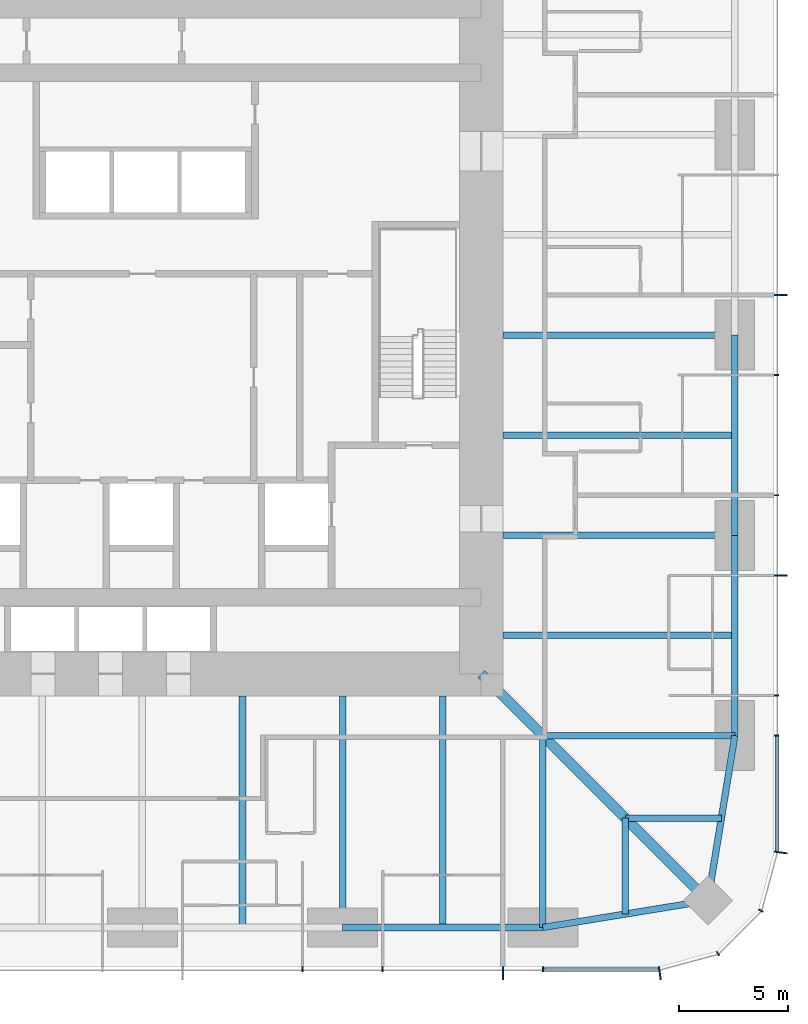
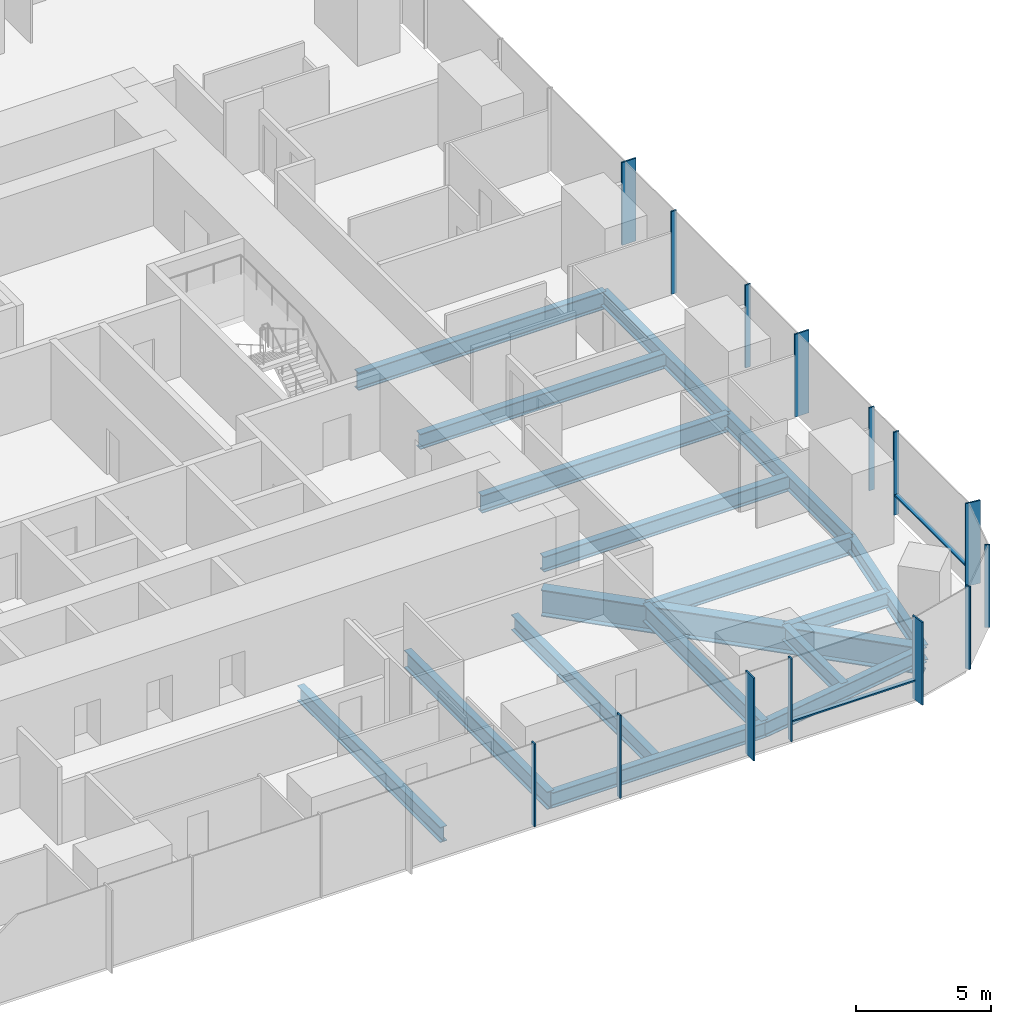
# One storey, part 4 of 13: 17 beams, 16 members, 3 elements without a shape of their own.
"""IFC4 building model written with IfcOpenShell, lengths in metres."""

from ifc_helpers import new_model, si_unit, direction, frame, origin, origin_2d, place, context, subcontext, project, spatial, rectangle, i_section, extrude, material, material_profile, profile_set, type_object, element, aggregate, save


model = new_model("IFC4")

# Units and contexts
model_context = context("Model", 3, precision=1e-05, world=origin(), true_north=direction((0.0, 1.0)))
body_context = subcontext(model_context, "Body", "Model", "MODEL_VIEW")
ifc_project = project(units=[si_unit("LENGTHUNIT", "METRE"), si_unit("AREAUNIT", "SQUARE_METRE"), si_unit("VOLUMEUNIT", "CUBIC_METRE"), si_unit("PLANEANGLEUNIT", "RADIAN"), si_unit("MASSUNIT", "GRAM", prefix="KILO")], contexts=[model_context])

# Site, building, storey
site_placement = place(None, origin())
site = spatial("IfcSite", under=ifc_project, at=site_placement, CompositionType="ELEMENT")
building_placement = place(site_placement, origin())
building = spatial("IfcBuilding", under=site, at=building_placement, Name="Khuree Lantern Residences", CompositionType="ELEMENT")
storey_placement = place(building_placement, frame((0.0, 0.0, 133.5)))
storey = spatial("IfcBuildingStorey", under=building, at=storey_placement, Name="L33", CompositionType="ELEMENT", Elevation=133.5)

# Beams
ifc_material_1 = material(Name="Steel S355", Category="steel")
ifc_material_profile_1 = material_profile(ifc_material_1, i_section(OverallWidth=0.300048828125, OverallDepth=0.68994140625, WebThickness=0.014404296875, FlangeThickness=0.027099609375, FilletRadius=0.027099609375, at=origin_2d()), Name="HE 700 A")
ifc_profile_set_1 = profile_set([ifc_material_profile_1], Name="Steel S355")
beam_type_1 = type_object("IfcBeamType", Name="B-22 SECONDARY BEAM HE 700 A", PredefinedType="BEAM", material=ifc_profile_set_1)
for number, where, z_axis, x_axis, name in (
    (1, (27.10009765625, -4.580078125, -0.594970703125), (-1.0, 0.0, 0.0), (0.0, -1.0, 0.0), "Secondary beam E4"),
    (2, (27.10009765625, -13.739990234375, -0.594970703125), (-1.0, 0.0, 0.0), (0.0, -1.0, 0.0), "Secondary beam E5"),
):
    element("IfcBeam", number, at=place(storey_placement, frame(where, z_axis=z_axis, x_axis=x_axis)), inside=storey, type_object=beam_type_1, Name=name, PredefinedType="BEAM", context=body_context, shape_type="SweptSolid", body=[
        extrude(i_section(OverallWidth=0.300048828125, OverallDepth=0.68994140625, WebThickness=0.014404296875, FlangeThickness=0.027099609375, FilletRadius=0.027099609375, at=origin_2d()), origin(), (0.0, 0.0, 1.0), 10.60009765625),
    ])
for number, where, z_axis, x_axis, name in (
    (3, (26.48486328125, -22.094970703125, -0.594970703125), (-1.0, 0.0, 0.0), (0.0, -1.0, 0.0), "Secondary beam E6"),
    (4, (22.094970703125, -26.48486328125, -0.594970703125), (0.0, 1.0, 0.0), (-1.0, 0.0, 0.0), "Secondary beam S1"),
):
    element("IfcBeam", number, at=place(storey_placement, frame(where, z_axis=z_axis, x_axis=x_axis)), inside=storey, type_object=beam_type_1, Name=name, PredefinedType="BEAM", context=body_context, shape_type="SweptSolid", body=[
        extrude(i_section(OverallWidth=0.300048828125, OverallDepth=0.68994140625, WebThickness=0.014404296875, FlangeThickness=0.027099609375, FilletRadius=0.027099609375, at=origin_2d()), origin(), (0.0, 0.0, 1.0), 4.389892578125),
    ])
for number, where, z_axis, x_axis, name in (
    (5, (13.739990234375, -27.10009765625, -0.594970703125), (0.0, 1.0, 0.0), (-1.0, 0.0, 0.0), "Secondary beam S2"),
    (6, (4.580078125, -27.10009765625, -0.594970703125), (0.0, 1.0, 0.0), (-1.0, 0.0, 0.0), "Secondary beam S3"),
):
    element("IfcBeam", number, at=place(storey_placement, frame(where, z_axis=z_axis, x_axis=x_axis)), inside=storey, type_object=beam_type_1, Name=name, PredefinedType="BEAM", context=body_context, shape_type="SweptSolid", body=[
        extrude(i_section(OverallWidth=0.300048828125, OverallDepth=0.68994140625, WebThickness=0.014404296875, FlangeThickness=0.027099609375, FilletRadius=0.027099609375, at=origin_2d()), origin(), (0.0, 0.0, 1.0), 10.60009765625),
    ])
ifc_material_profile_2 = material_profile(ifc_material_1, i_section(OverallWidth=0.300048828125, OverallDepth=0.68994140625, WebThickness=0.014404296875, FlangeThickness=0.027099609375, FilletRadius=0.027099609375, at=origin_2d()), Name="HE 700 A")
ifc_profile_set_2 = profile_set([ifc_material_profile_2], Name="Steel S355")
beam_type_2 = type_object("IfcBeamType", Name="E-22 SPANDREL BEAM HE 700 A", PredefinedType="SPANDREL", material=ifc_profile_set_2)
beam_1_placement = place(storey_placement, frame((27.10009765625, 0.0, -0.594970703125), z_axis=(0.0, -1.0, 0.0), x_axis=(1.0, 0.0, 0.0)))
element("IfcBeam", 7, at=beam_1_placement, inside=storey, type_object=beam_type_2, Name="Spandrel beam E4", PredefinedType="SPANDREL", context=body_context, shape_type="SweptSolid", body=[
    extrude(i_section(OverallWidth=0.300048828125, OverallDepth=0.68994140625, WebThickness=0.014404296875, FlangeThickness=0.027099609375, FilletRadius=0.027099609375, at=origin_2d()), origin(), (0.0, 0.0, 1.0), 9.159912109375),
])
beam_2_placement = place(storey_placement, frame((27.10009765625, -9.159912109375, -0.594970703125), z_axis=(0.0, -1.0, 0.0), x_axis=(1.0, 0.0, 0.0)))
element("IfcBeam", 8, at=beam_2_placement, inside=storey, type_object=beam_type_2, Name="Spandrel beam E5", PredefinedType="SPANDREL", context=body_context, shape_type="SweptSolid", body=[
    extrude(i_section(OverallWidth=0.300048828125, OverallDepth=0.68994140625, WebThickness=0.014404296875, FlangeThickness=0.027099609375, FilletRadius=0.027099609375, at=origin_2d()), origin(), (0.0, 0.0, 1.0), 9.16015625),
])
for number, where, z_axis, x_axis, name in (
    (9, (27.10009765625, -18.320068359375, -0.594970703125), (-0.160826723833, -0.986982656839, 0.0), (0.986982656839, -0.160826723833, 0.0), "Spandrel beam E6"),
    (10, (25.869873046875, -25.869873046875, -0.594970703125), (-0.986982656839, -0.160826723833, 0.0), (0.160826723833, -0.986982656839, 0.0), "Spandrel beam S1"),
):
    element("IfcBeam", number, at=place(storey_placement, frame(where, z_axis=z_axis, x_axis=x_axis)), inside=storey, type_object=beam_type_2, Name=name, PredefinedType="SPANDREL", context=body_context, shape_type="SweptSolid", body=[
        extrude(i_section(OverallWidth=0.300048828125, OverallDepth=0.68994140625, WebThickness=0.014404296875, FlangeThickness=0.027099609375, FilletRadius=0.027099609375, at=origin_2d()), origin(), (0.0, 0.0, 1.0), 7.6494140625),
    ])
beam_3_placement = place(storey_placement, frame((18.320068359375, -27.10009765625, -0.594970703125), z_axis=(-1.0, 0.0, 0.0), x_axis=(0.0, -1.0, 0.0)))
element("IfcBeam", 11, at=beam_3_placement, inside=storey, type_object=beam_type_2, Name="Spandrel beam S2", PredefinedType="SPANDREL", context=body_context, shape_type="SweptSolid", body=[
    extrude(i_section(OverallWidth=0.300048828125, OverallDepth=0.68994140625, WebThickness=0.014404296875, FlangeThickness=0.027099609375, FilletRadius=0.027099609375, at=origin_2d()), origin(), (0.0, 0.0, 1.0), 9.16015625),
])

# Curtain wall, member
ifc_material_2 = material(Name="Bronze anodised aluminium", Category="aluminium")
curtain_wall_type_1 = type_object("IfcCurtainWallType", Name="CW-T2 TOWER CORNER CURTAIN WALL", PredefinedType="USERDEFINED", material=ifc_material_2)
curtain_wall_1_placement = place(storey_placement, origin())
curtain_wall_1 = element("IfcCurtainWall", 12, at=curtain_wall_1_placement, inside=storey, type_object=curtain_wall_type_1, Name="L33 SOUTH-EAST CORNER CURTAIN WALL", ObjectType="Faceted corner curtain wall", PredefinedType="USERDEFINED")
ifc_material_profile_3 = material_profile(ifc_material_2, rectangle(XDim=0.06494140625, YDim=0.60009765625, at=origin_2d()), Name="F1 65X600")
ifc_profile_set_3 = profile_set([ifc_material_profile_3], Name="Bronze anodised aluminium")
member_type_1 = type_object("IfcMemberType", Name="F1 BRONZE FIN MULLION TOWER 65X600", PredefinedType="MULLION", material=ifc_profile_set_3)
member_1_placement = place(storey_placement, frame((23.669677734375, -29.2001953125, 0.0), z_axis=(0.0, 0.0, 1.0), x_axis=(0.991444857305, 0.130526223125, 0.0)))
member_1 = element("IfcMember", 13, at=member_1_placement, type_object=member_type_1, Name="L33 SOUTH-EAST CORNER FIN MULLION 1", PredefinedType="MULLION", context=body_context, shape_type="SweptSolid", body=[
    extrude(rectangle(XDim=0.06494140625, YDim=0.60009765625, at=origin_2d()), origin(), (0.0, 0.0, 1.0), 3.75),
])

# Curtain wall, members
curtain_wall_type_2 = type_object("IfcCurtainWallType", Name="CW-T1 TOWER FACE CURTAIN WALL", PredefinedType="USERDEFINED", material=ifc_material_2)
curtain_wall_2_placement = place(storey_placement, origin())
curtain_wall_2 = element("IfcCurtainWall", 14, at=curtain_wall_2_placement, inside=storey, type_object=curtain_wall_type_2, Name="L33 EAST FACE CURTAIN WALL", ObjectType="Stick-built curtain wall", PredefinedType="USERDEFINED")
member_2_placement = place(storey_placement, frame((29.2001953125, -23.669677734375, 0.0), z_axis=(0.0, 0.0, 1.0), x_axis=(0.130526223125, 0.991444857305, 0.0)))
member_2 = element("IfcMember", 15, at=member_2_placement, type_object=member_type_1, Name="L33 EAST FACE FIN MULLION 4", PredefinedType="MULLION", context=body_context, shape_type="SweptSolid", body=[
    extrude(rectangle(XDim=0.06494140625, YDim=0.60009765625, at=origin_2d()), origin(), (0.0, 0.0, 1.0), 3.75),
])
member_3_placement = place(storey_placement, frame((29.199951171875, -10.991943359375, 0.0), z_axis=(0.0, 0.0, 1.0), x_axis=(0.0, 1.0, 0.0)))
member_3 = element("IfcMember", 16, at=member_3_placement, type_object=member_type_1, Name="L33 EAST FACE FIN MULLION 7", PredefinedType="MULLION", context=body_context, shape_type="SweptSolid", body=[
    extrude(rectangle(XDim=0.06494140625, YDim=0.60009765625, at=origin_2d()), origin(), (0.0, 0.0, 1.0), 3.75),
])
member_4_placement = place(storey_placement, frame((29.199951171875, 1.83203125, 0.0), z_axis=(0.0, 0.0, 1.0), x_axis=(0.0, 1.0, 0.0)))
member_4 = element("IfcMember", 17, at=member_4_placement, type_object=member_type_1, Name="L33 EAST FACE FIN MULLION 10", PredefinedType="MULLION", context=body_context, shape_type="SweptSolid", body=[
    extrude(rectangle(XDim=0.06494140625, YDim=0.60009765625, at=origin_2d()), origin(), (0.0, 0.0, 1.0), 3.75),
])

# Curtain wall, member
curtain_wall_3_placement = place(storey_placement, origin())
curtain_wall_3 = element("IfcCurtainWall", 18, at=curtain_wall_3_placement, inside=storey, type_object=curtain_wall_type_2, Name="L33 SOUTH FACE CURTAIN WALL", ObjectType="Stick-built curtain wall", PredefinedType="USERDEFINED")
member_5_placement = place(storey_placement, frame((16.488037109375, -29.199951171875, 0.0), z_axis=(0.0, 0.0, 1.0), x_axis=(1.0, 0.0, 0.0)))
member_5 = element("IfcMember", 19, at=member_5_placement, type_object=member_type_1, Name="L33 SOUTH FACE FIN MULLION 55", PredefinedType="MULLION", context=body_context, shape_type="SweptSolid", body=[
    extrude(rectangle(XDim=0.06494140625, YDim=0.60009765625, at=origin_2d()), origin(), (0.0, 0.0, 1.0), 3.75),
])

# Beams
ifc_material_profile_4 = material_profile(ifc_material_1, i_section(OverallWidth=0.300048828125, OverallDepth=0.800048828125, WebThickness=0.017578125, FlangeThickness=0.032958984375, FilletRadius=0.030029296875, at=origin_2d()), Name="HE 800 B")
ifc_profile_set_4 = profile_set([ifc_material_profile_4], Name="Steel S355")
beam_type_3 = type_object("IfcBeamType", Name="G-22 GIRDER HE 800 B", PredefinedType="BEAM", material=ifc_profile_set_4)
for number, where, z_axis, x_axis, name in (
    (20, (27.10009765625, 0.0, -0.64990234375), (-1.0, 0.0, 0.0), (0.0, -1.0, 0.0), "Girder E3"),
    (21, (27.10009765625, -9.159912109375, -0.64990234375), (-1.0, 0.0, 0.0), (0.0, -1.0, 0.0), "Girder E4"),
):
    element("IfcBeam", number, at=place(storey_placement, frame(where, z_axis=z_axis, x_axis=x_axis)), inside=storey, type_object=beam_type_3, Name=name, PredefinedType="BEAM", context=body_context, shape_type="SweptSolid", body=[
        extrude(i_section(OverallWidth=0.300048828125, OverallDepth=0.800048828125, WebThickness=0.017578125, FlangeThickness=0.032958984375, FilletRadius=0.030029296875, at=origin_2d()), origin(), (0.0, 0.0, 1.0), 10.60009765625),
    ])
for number, where, z_axis, x_axis, name in (
    (22, (27.10009765625, -18.320068359375, -0.64990234375), (-1.0, 0.0, 0.0), (0.0, -1.0, 0.0), "Girder E5"),
    (23, (18.320068359375, -27.10009765625, -0.64990234375), (0.0, 1.0, 0.0), (-1.0, 0.0, 0.0), "Girder S1"),
):
    element("IfcBeam", number, at=place(storey_placement, frame(where, z_axis=z_axis, x_axis=x_axis)), inside=storey, type_object=beam_type_3, Name=name, PredefinedType="BEAM", context=body_context, shape_type="SweptSolid", body=[
        extrude(i_section(OverallWidth=0.300048828125, OverallDepth=0.800048828125, WebThickness=0.017578125, FlangeThickness=0.032958984375, FilletRadius=0.030029296875, at=origin_2d()), origin(), (0.0, 0.0, 1.0), 8.780029296875),
    ])
beam_4_placement = place(storey_placement, frame((9.159912109375, -27.10009765625, -0.64990234375), z_axis=(0.0, 1.0, 0.0), x_axis=(-1.0, 0.0, 0.0)))
element("IfcBeam", 24, at=beam_4_placement, inside=storey, type_object=beam_type_3, Name="Girder S2", PredefinedType="BEAM", context=body_context, shape_type="SweptSolid", body=[
    extrude(i_section(OverallWidth=0.300048828125, OverallDepth=0.800048828125, WebThickness=0.017578125, FlangeThickness=0.032958984375, FilletRadius=0.030029296875, at=origin_2d()), origin(), (0.0, 0.0, 1.0), 10.60009765625),
])
ifc_material_profile_5 = material_profile(ifc_material_1, i_section(OverallWidth=0.449951171875, OverallDepth=1.199951171875, WebThickness=0.02490234375, FlangeThickness=0.044921875, at=origin_2d()), Name="WELDED I 1200X450X25X45")
ifc_profile_set_5 = profile_set([ifc_material_profile_5], Name="Steel S355")
beam_type_4 = type_object("IfcBeamType", Name="GD-22 CORNER GIRDER WELDED I 1200X450X25X45", PredefinedType="BEAM", material=ifc_profile_set_5)
beam_5_placement = place(storey_placement, frame((25.869873046875, -25.869873046875, -0.85009765625), z_axis=(-0.707106781187, 0.707106781187, 0.0), x_axis=(-0.707106781187, -0.707106781187, 0.0)))
element("IfcBeam", 25, at=beam_5_placement, inside=storey, type_object=beam_type_4, Name="Corner girder SE", PredefinedType="BEAM", context=body_context, shape_type="SweptSolid", body=[
    extrude(i_section(OverallWidth=0.449951171875, OverallDepth=1.199951171875, WebThickness=0.02490234375, FlangeThickness=0.044921875, at=origin_2d()), origin(), (0.0, 0.0, 1.0), 14.665283203125),
])

# Member
ifc_material_profile_6 = material_profile(ifc_material_2, rectangle(XDim=0.06494140625, YDim=0.219970703125, at=origin_2d()), Name="M1 65X220")
ifc_profile_set_6 = profile_set([ifc_material_profile_6], Name="Bronze anodised aluminium")
member_type_2 = type_object("IfcMemberType", Name="M1 BRONZE MULLION TOWER 65X220", PredefinedType="MULLION", material=ifc_profile_set_6)
member_6_placement = place(storey_placement, frame((26.330078125, -28.2919921875, 0.0), z_axis=(0.0, 0.0, 1.0), x_axis=(0.866025388199, 0.500000026995, 0.0)))
member_6 = element("IfcMember", 26, at=member_6_placement, type_object=member_type_2, Name="L33 SOUTH-EAST CORNER MULLION 2", PredefinedType="MULLION", context=body_context, shape_type="SweptSolid", body=[
    extrude(rectangle(XDim=0.06494140625, YDim=0.219970703125, at=origin_2d()), origin(), (0.0, 0.0, 1.0), 3.75),
])

member_7_placement = place(storey_placement, frame((28.2919921875, -26.330078125, 0.0), z_axis=(0.0, 0.0, 1.0), x_axis=(0.500000026995, 0.866025388199, 0.0)))
member_7 = element("IfcMember", 27, at=member_7_placement, type_object=member_type_2, Name="L33 SOUTH-EAST CORNER MULLION 3", PredefinedType="MULLION", context=body_context, shape_type="SweptSolid", body=[
    extrude(rectangle(XDim=0.06494140625, YDim=0.219970703125, at=origin_2d()), origin(), (0.0, 0.0, 1.0), 3.75),
])

aggregate(curtain_wall_1, [member_1, member_6, member_7])

member_8_placement = place(storey_placement, frame((29.010009765625, -18.320068359375, 0.0), z_axis=(0.0, 0.0, 1.0), x_axis=(0.0, 1.0, 0.0)))
member_8 = element("IfcMember", 28, at=member_8_placement, type_object=member_type_2, Name="L33 EAST FACE MULLION 5", PredefinedType="MULLION", context=body_context, shape_type="SweptSolid", body=[
    extrude(rectangle(XDim=0.06494140625, YDim=0.219970703125, at=origin_2d()), origin(), (0.0, 0.0, 1.0), 3.75),
])

member_9_placement = place(storey_placement, frame((29.010009765625, -16.488037109375, 0.0), z_axis=(0.0, 0.0, 1.0), x_axis=(0.0, 1.0, 0.0)))
member_9 = element("IfcMember", 29, at=member_9_placement, type_object=member_type_2, Name="L33 EAST FACE MULLION 6", PredefinedType="MULLION", context=body_context, shape_type="SweptSolid", body=[
    extrude(rectangle(XDim=0.06494140625, YDim=0.219970703125, at=origin_2d()), origin(), (0.0, 0.0, 1.0), 3.75),
])

member_10_placement = place(storey_placement, frame((29.010009765625, -7.327880859375, 0.0), z_axis=(0.0, 0.0, 1.0), x_axis=(0.0, 1.0, 0.0)))
member_10 = element("IfcMember", 30, at=member_10_placement, type_object=member_type_2, Name="L33 EAST FACE MULLION 8", PredefinedType="MULLION", context=body_context, shape_type="SweptSolid", body=[
    extrude(rectangle(XDim=0.06494140625, YDim=0.219970703125, at=origin_2d()), origin(), (0.0, 0.0, 1.0), 3.75),
])

member_11_placement = place(storey_placement, frame((29.010009765625, -1.83203125, 0.0), z_axis=(0.0, 0.0, 1.0), x_axis=(0.0, 1.0, 0.0)))
member_11 = element("IfcMember", 31, at=member_11_placement, type_object=member_type_2, Name="L33 EAST FACE MULLION 9", PredefinedType="MULLION", context=body_context, shape_type="SweptSolid", body=[
    extrude(rectangle(XDim=0.06494140625, YDim=0.219970703125, at=origin_2d()), origin(), (0.0, 0.0, 1.0), 3.75),
])

member_12_placement = place(storey_placement, frame((7.327880859375, -29.010009765625, 0.0), z_axis=(0.0, 0.0, 1.0), x_axis=(1.0, 0.0, 0.0)))
member_12 = element("IfcMember", 32, at=member_12_placement, type_object=member_type_2, Name="L33 SOUTH FACE MULLION 53", PredefinedType="MULLION", context=body_context, shape_type="SweptSolid", body=[
    extrude(rectangle(XDim=0.06494140625, YDim=0.219970703125, at=origin_2d()), origin(), (0.0, 0.0, 1.0), 3.75),
])

member_13_placement = place(storey_placement, frame((10.991943359375, -29.010009765625, 0.0), z_axis=(0.0, 0.0, 1.0), x_axis=(1.0, 0.0, 0.0)))
member_13 = element("IfcMember", 33, at=member_13_placement, type_object=member_type_2, Name="L33 SOUTH FACE MULLION 54", PredefinedType="MULLION", context=body_context, shape_type="SweptSolid", body=[
    extrude(rectangle(XDim=0.06494140625, YDim=0.219970703125, at=origin_2d()), origin(), (0.0, 0.0, 1.0), 3.75),
])

member_14_placement = place(storey_placement, frame((18.320068359375, -29.010009765625, 0.0), z_axis=(0.0, 0.0, 1.0), x_axis=(1.0, 0.0, 0.0)))
member_14 = element("IfcMember", 34, at=member_14_placement, type_object=member_type_2, Name="L33 SOUTH FACE MULLION 56", PredefinedType="MULLION", context=body_context, shape_type="SweptSolid", body=[
    extrude(rectangle(XDim=0.06494140625, YDim=0.219970703125, at=origin_2d()), origin(), (0.0, 0.0, 1.0), 3.75),
])

ifc_material_profile_7 = material_profile(ifc_material_2, rectangle(XDim=0.179931640625, YDim=0.06494140625, at=origin_2d()), Name="T1 180X65")
ifc_profile_set_7 = profile_set([ifc_material_profile_7], Name="Bronze anodised aluminium")
member_type_3 = type_object("IfcMemberType", Name="TRANSOM T1 TOWER 180X65", PredefinedType="USERDEFINED", material=ifc_profile_set_7)
member_15_placement = place(storey_placement, frame((29.02001953125, -23.601318359375, 0.89990234375), z_axis=(0.0, 1.0, 0.0), x_axis=(-1.0, 0.0, 0.0)))
member_15 = element("IfcMember", 35, at=member_15_placement, type_object=member_type_3, Name="L33 EAST FACE TRANSOM 4.1", ObjectType="Transom", PredefinedType="USERDEFINED", context=body_context, shape_type="SweptSolid", body=[
    extrude(rectangle(XDim=0.179931640625, YDim=0.06494140625, at=origin_2d()), origin(), (0.0, 0.0, 1.0), 5.248779296875),
])

aggregate(curtain_wall_2, [member_2, member_8, member_9, member_3, member_10, member_11, member_4, member_15])

member_16_placement = place(storey_placement, frame((18.3525390625, -29.02001953125, 0.89990234375), z_axis=(1.0, 0.0, 0.0), x_axis=(0.0, 1.0, 0.0)))
member_16 = element("IfcMember", 36, at=member_16_placement, type_object=member_type_3, Name="L33 SOUTH FACE TRANSOM 56.1", ObjectType="Transom", PredefinedType="USERDEFINED", context=body_context, shape_type="SweptSolid", body=[
    extrude(rectangle(XDim=0.179931640625, YDim=0.06494140625, at=origin_2d()), origin(), (0.0, 0.0, 1.0), 5.248779296875),
])

aggregate(curtain_wall_3, [member_12, member_13, member_5, member_14, member_16])

save(model, "model.ifc")
